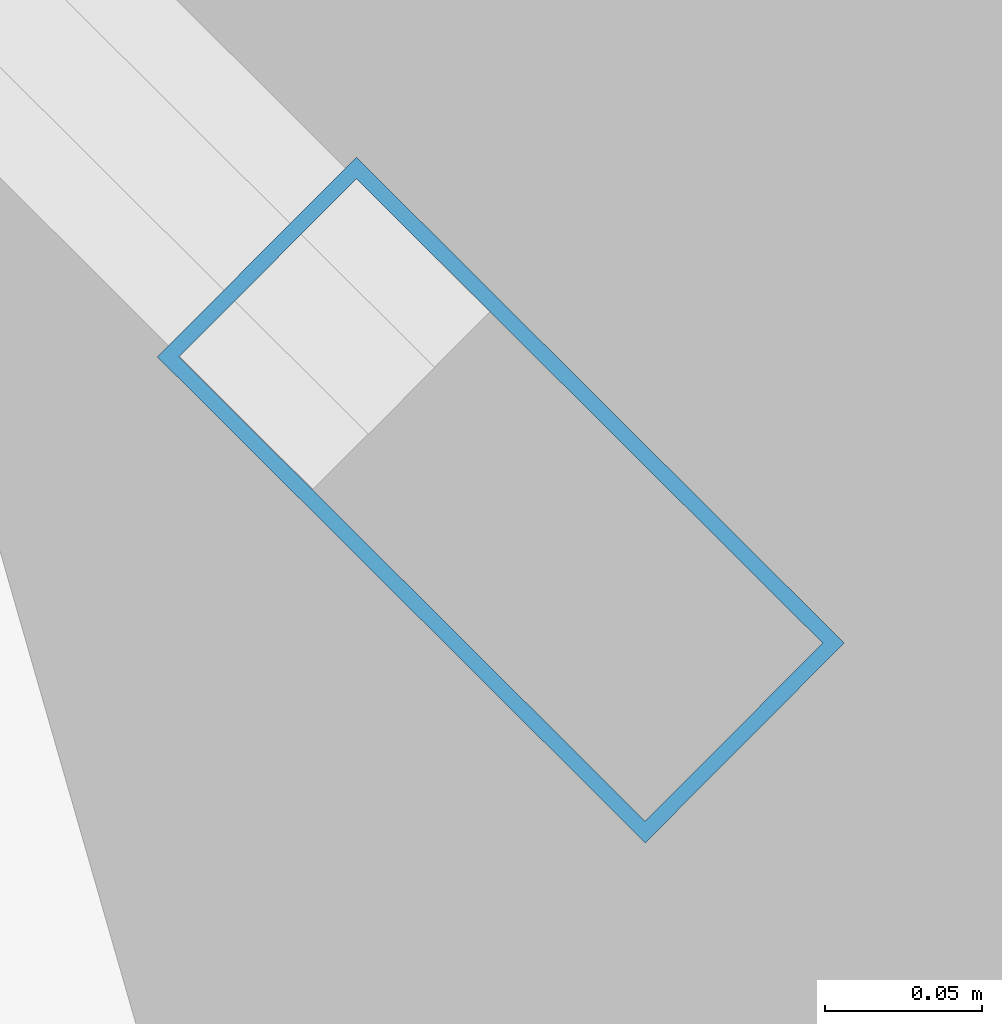
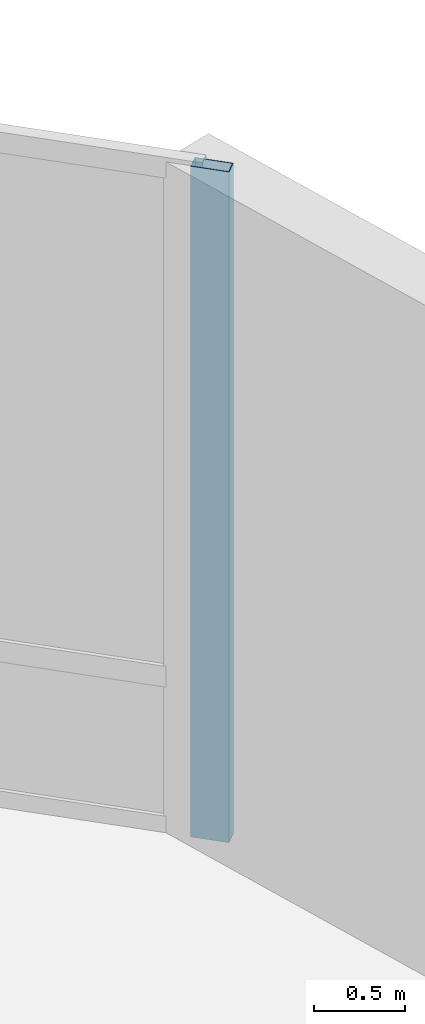
# One storey, part 16 of 40: 1 member, 1 element without a shape of its own.
"""IFC4 building model written with IfcOpenShell, lengths in metres."""

from ifc_helpers import new_model, si_unit, direction, frame, origin, origin_2d, place, context, subcontext, project, spatial, hollow_rectangle, extrude, material, layer, layer_set, material_profile, profile_set, type_object, element, aggregate, save


model = new_model("IFC4")

# Units and contexts
model_context = context("Model", 3, precision=1e-05, world=origin(), true_north=direction((0.0, 1.0)))
body_context = subcontext(model_context, "Body", "Model", "MODEL_VIEW")
ifc_project = project(units=[si_unit("LENGTHUNIT", "METRE"), si_unit("AREAUNIT", "SQUARE_METRE"), si_unit("VOLUMEUNIT", "CUBIC_METRE"), si_unit("PLANEANGLEUNIT", "RADIAN"), si_unit("MASSUNIT", "GRAM", prefix="KILO")], contexts=[model_context])

# Site, building, storey
site_placement = place(None, origin())
site = spatial("IfcSite", under=ifc_project, at=site_placement, CompositionType="ELEMENT")
building_placement = place(site_placement, origin())
building = spatial("IfcBuilding", under=site, at=building_placement, Name="Kazevale Care Tower and Concert Hall", CompositionType="ELEMENT")
storey_placement = place(building_placement, frame((0.0, 0.0, 9.60009765625)))
storey = spatial("IfcBuildingStorey", under=building, at=storey_placement, Name="L02", CompositionType="ELEMENT", Elevation=9.60009765625)

# Curtain wall, member
ifc_material_1 = material(Name="Aluminium 6063-T6 and Low-E Glass", Category="aluminium")
ifc_layer = layer(ifc_material_1, 0.179931640625)
ifc_layer_set = layer_set([ifc_layer], Name="Aluminium 6063-T6 and Low-E Glass")
curtain_wall_type = type_object("IfcCurtainWallType", Name="Podium Double-Skin Medical Curtain Wall CW-1", PredefinedType="NOTDEFINED", material=ifc_layer_set)
curtain_wall_placement = place(storey_placement, origin())
curtain_wall = element("IfcCurtainWall", 1, at=curtain_wall_placement, inside=storey, type_object=curtain_wall_type, Name="cw:L02:pod:02", PredefinedType="NOTDEFINED")
ifc_material_2 = material(Name="Aluminium 6063-T6", Category="aluminium")
ifc_material_profile = material_profile(ifc_material_2, hollow_rectangle(XDim=0.090087890625, YDim=0.219970703125, WallThickness=0.0048828125, at=origin_2d()), Name="ALU90x220x5")
ifc_profile_set = profile_set([ifc_material_profile], Name="Aluminium 6063-T6")
member_type = type_object("IfcMemberType", Name="CW-1 Mullion ALU90x220x5", PredefinedType="MULLION", material=ifc_profile_set)
member_placement = place(storey_placement, frame((83.06103515625, 52.601806640625, 0.0), z_axis=(0.0, 0.0, 1.0), x_axis=(-0.705655814257, -0.708554776856, 0.0)))
member = element("IfcMember", 2, at=member_placement, type_object=member_type, Name="CW-1 mullion 1", PredefinedType="MULLION", context=body_context, shape_type="SweptSolid", body=[
    extrude(hollow_rectangle(XDim=0.090087890625, YDim=0.219970703125, WallThickness=0.0048828125, at=origin_2d()), origin(), (0.0, 0.0, 1.0), 4.52001953125),
])
aggregate(curtain_wall, [member])

save(model, "model.ifc")
